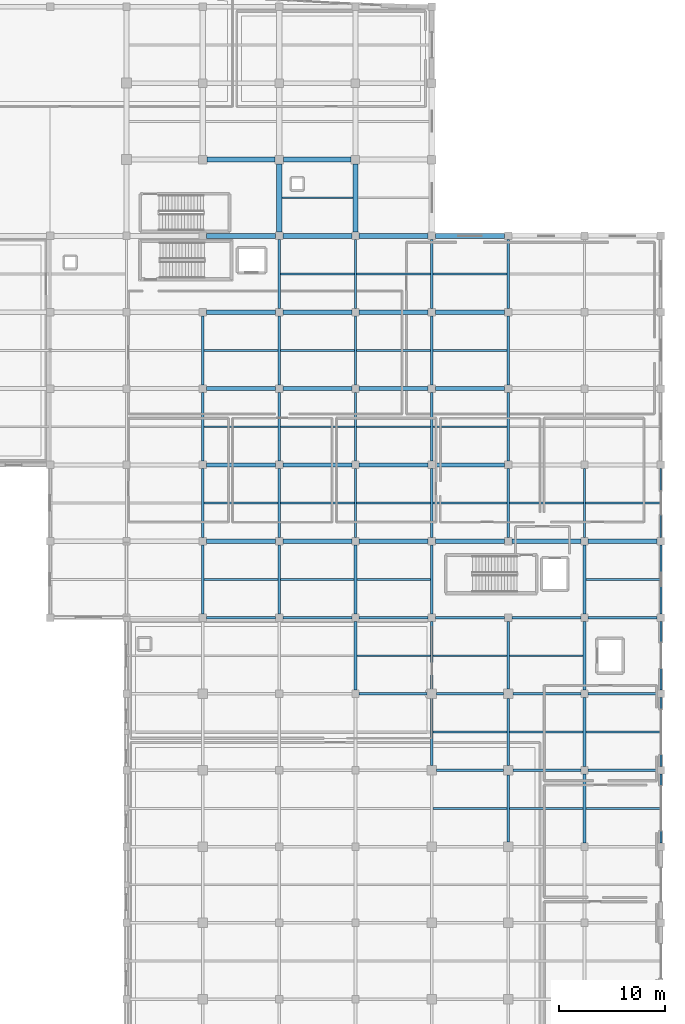
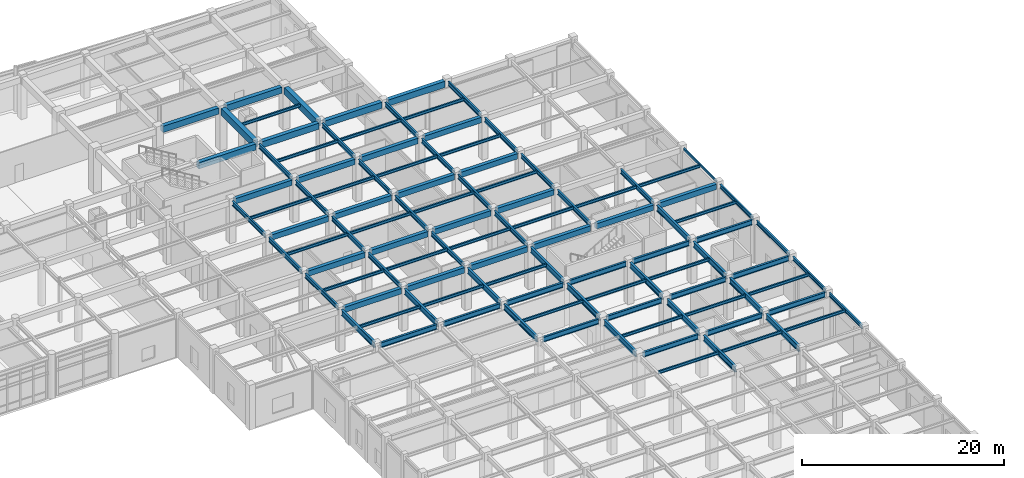
# One storey, part 54 of 102: 109 beams.
"""IFC4 building model written with IfcOpenShell, lengths in metres."""

from ifc_helpers import new_model, si_unit, direction, frame, origin, origin_2d, place, context, subcontext, project, spatial, rectangle, hollow_rectangle, i_section, extrude, material, material_profile, profile_set, type_object, element, save


model = new_model("IFC4")

# Units and contexts
model_context = context("Model", 3, precision=1e-05, world=origin(), true_north=direction((0.0, 1.0)))
body_context = subcontext(model_context, "Body", "Model", "MODEL_VIEW")
ifc_project = project(units=[si_unit("LENGTHUNIT", "METRE"), si_unit("AREAUNIT", "SQUARE_METRE"), si_unit("VOLUMEUNIT", "CUBIC_METRE"), si_unit("PLANEANGLEUNIT", "RADIAN"), si_unit("MASSUNIT", "GRAM", prefix="KILO")], contexts=[model_context])

# Site, building, storey
site_placement = place(None, origin())
site = spatial("IfcSite", under=ifc_project, at=site_placement, CompositionType="ELEMENT")
building_placement = place(site_placement, origin())
building = spatial("IfcBuilding", under=site, at=building_placement, Name="Carrowvane Square Congress Hotel", CompositionType="ELEMENT")
storey_placement = place(building_placement, origin())
storey = spatial("IfcBuildingStorey", under=building, at=storey_placement, Name="L00", CompositionType="ELEMENT", Elevation=0.0)

# Beams
ifc_material_1 = material(Name="Concrete C35/45", Category="concrete")
ifc_material_profile_1 = material_profile(ifc_material_1, rectangle(XDim=0.39990234375, YDim=0.64990234375, at=origin_2d()), Name="RC 400x650")
ifc_profile_set_1 = profile_set([ifc_material_profile_1], Name="Concrete C35/45")
beam_type_1 = type_object("IfcBeamType", Name="BM-RC-400x650", PredefinedType="BEAM", material=ifc_profile_set_1)
for number, where, z_axis, x_axis, name in (
    (1, (141.550048828125, 63.0, 4.77490234375), (1.0, 0.0, 0.0), (0.0, 1.0, 0.0), "L01 girder J/19-20"),
    (2, (148.75, 63.0, 4.77490234375), (1.0, 0.0, 0.0), (0.0, 1.0, 0.0), "L01 girder J/20-21"),
    (3, (155.949951171875, 63.0, 4.77490234375), (1.0, 0.0, 0.0), (0.0, 1.0, 0.0), "L01 girder J/21-22"),
    (4, (163.14990234375, 63.0, 4.77490234375), (1.0, 0.0, 0.0), (0.0, 1.0, 0.0), "L01 girder J/22-23"),
    (5, (170.35009765625, 63.0, 4.77490234375), (1.0, 0.0, 0.0), (0.0, 1.0, 0.0), "L01 girder J/23-24"),
    (6, (177.550048828125, 63.0, 4.77490234375), (1.0, 0.0, 0.0), (0.0, 1.0, 0.0), "L01 girder J/24-25"),
    (7, (141.550048828125, 70.199951171875, 4.77490234375), (1.0, 0.0, 0.0), (0.0, 1.0, 0.0), "L01 girder K/19-20"),
    (8, (148.75, 70.199951171875, 4.77490234375), (1.0, 0.0, 0.0), (0.0, 1.0, 0.0), "L01 girder K/20-21"),
    (9, (155.949951171875, 70.199951171875, 4.77490234375), (1.0, 0.0, 0.0), (0.0, 1.0, 0.0), "L01 girder K/21-22"),
    (10, (163.14990234375, 70.199951171875, 4.77490234375), (1.0, 0.0, 0.0), (0.0, 1.0, 0.0), "L01 girder K/22-23"),
    (11, (141.550048828125, 77.39990234375, 4.77490234375), (1.0, 0.0, 0.0), (0.0, 1.0, 0.0), "L01 girder L/19-20"),
    (12, (148.75, 77.39990234375, 4.77490234375), (1.0, 0.0, 0.0), (0.0, 1.0, 0.0), "L01 girder L/20-21"),
    (13, (155.949951171875, 77.39990234375, 4.77490234375), (1.0, 0.0, 0.0), (0.0, 1.0, 0.0), "L01 girder L/21-22"),
    (14, (163.14990234375, 77.39990234375, 4.77490234375), (1.0, 0.0, 0.0), (0.0, 1.0, 0.0), "L01 girder L/22-23"),
    (15, (141.550048828125, 84.60009765625, 4.77490234375), (1.0, 0.0, 0.0), (0.0, 1.0, 0.0), "L01 girder M/19-20"),
    (16, (148.75, 84.60009765625, 4.77490234375), (1.0, 0.0, 0.0), (0.0, 1.0, 0.0), "L01 girder M/20-21"),
    (17, (155.949951171875, 84.60009765625, 4.77490234375), (1.0, 0.0, 0.0), (0.0, 1.0, 0.0), "L01 girder M/21-22"),
    (18, (163.14990234375, 84.60009765625, 4.77490234375), (1.0, 0.0, 0.0), (0.0, 1.0, 0.0), "L01 girder M/22-23"),
):
    element("IfcBeam", number, at=place(storey_placement, frame(where, z_axis=z_axis, x_axis=x_axis)), inside=storey, type_object=beam_type_1, Name=name, PredefinedType="BEAM", context=body_context, shape_type="SweptSolid", body=[
        extrude(rectangle(XDim=0.39990234375, YDim=0.64990234375, at=origin_2d()), origin(), (0.0, 0.0, 1.0), 6.5),
    ])
ifc_material_2 = material(Name="Concrete C35/45", Category="concrete")
ifc_material_profile_2 = material_profile(ifc_material_2, rectangle(XDim=0.449951171875, YDim=0.75, at=origin_2d()), Name="RC 450x750")
ifc_profile_set_2 = profile_set([ifc_material_profile_2], Name="Concrete C35/45")
beam_type_2 = type_object("IfcBeamType", Name="BM-RC-450x750", PredefinedType="USERDEFINED", material=ifc_profile_set_2)
for number, where, z_axis, x_axis, name in (
    (19, (141.550048828125, 91.800048828125, 4.72509765625), (1.0, 0.0, 0.0), (0.0, 1.0, 0.0), "L01 girder N/19-20"),
    (20, (148.75, 91.800048828125, 4.72509765625), (1.0, 0.0, 0.0), (0.0, 1.0, 0.0), "L01 girder N/20-21"),
    (21, (155.949951171875, 91.800048828125, 4.72509765625), (1.0, 0.0, 0.0), (0.0, 1.0, 0.0), "L01 girder N/21-22"),
    (22, (163.14990234375, 91.800048828125, 4.72509765625), (1.0, 0.0, 0.0), (0.0, 1.0, 0.0), "L01 girder N/22-23"),
):
    element("IfcBeam", number, at=place(storey_placement, frame(where, z_axis=z_axis, x_axis=x_axis)), inside=storey, type_object=beam_type_2, Name=name, ObjectType="GIRDER", PredefinedType="USERDEFINED", context=body_context, shape_type="SweptSolid", body=[
        extrude(rectangle(XDim=0.449951171875, YDim=0.75, at=origin_2d()), origin(), (0.0, 0.0, 1.0), 6.5),
    ])
for number, where, z_axis, x_axis, name in (
    (23, (141.60009765625, 99.0, 4.72509765625), (1.0, 0.0, 0.0), (0.0, 1.0, 0.0), "L01 girder P/19-20"),
    (24, (148.800048828125, 99.0, 4.72509765625), (1.0, 0.0, 0.0), (0.0, 1.0, 0.0), "L01 girder P/20-21"),
):
    element("IfcBeam", number, at=place(storey_placement, frame(where, z_axis=z_axis, x_axis=x_axis)), inside=storey, type_object=beam_type_2, Name=name, ObjectType="GIRDER", PredefinedType="USERDEFINED", context=body_context, shape_type="SweptSolid", body=[
        extrude(rectangle(XDim=0.449951171875, YDim=0.75, at=origin_2d()), origin(), (0.0, 0.0, 1.0), 6.39990234375),
    ])
ifc_material_3 = material(Name="Concrete C35/45", Category="concrete")
ifc_material_profile_3 = material_profile(ifc_material_3, rectangle(XDim=0.5, YDim=0.85009765625, at=origin_2d()), Name="RC 500x850")
ifc_profile_set_3 = profile_set([ifc_material_profile_3], Name="Concrete C35/45")
beam_type_3 = type_object("IfcBeamType", Name="BM-RC-500x850", PredefinedType="USERDEFINED", material=ifc_profile_set_3)
for number, where, z_axis, x_axis, name in (
    (25, (148.39990234375, 92.14990234375, 4.675048828125), (0.0, 1.0, 0.0), (-1.0, 0.0, 0.0), "L01 girder 20/N-P"),
    (26, (155.60009765625, 92.14990234375, 4.675048828125), (0.0, 1.0, 0.0), (-1.0, 0.0, 0.0), "L01 girder 21/N-P"),
):
    element("IfcBeam", number, at=place(storey_placement, frame(where, z_axis=z_axis, x_axis=x_axis)), inside=storey, type_object=beam_type_3, Name=name, ObjectType="GIRDER", PredefinedType="USERDEFINED", context=body_context, shape_type="SweptSolid", body=[
        extrude(rectangle(XDim=0.5, YDim=0.85009765625, at=origin_2d()), origin(), (0.0, 0.0, 1.0), 6.4501953125),
    ])
ifc_material_4 = material(Name="Steel S355", Category="steel")
ifc_material_profile_4 = material_profile(ifc_material_4, hollow_rectangle(XDim=0.14990234375, YDim=0.25, WallThickness=0.012451171875, at=origin_2d()), Name="RHS 250x150x12.5")
ifc_profile_set_4 = profile_set([ifc_material_profile_4], Name="Steel S355")
beam_type_4 = type_object("IfcBeamType", Name="BM-ST-RHS250", PredefinedType="SPANDREL", material=ifc_profile_set_4)
beam_1_placement = place(storey_placement, frame((184.39990234375, 63.35009765625, 4.97509765625), z_axis=(0.0, 1.0, 0.0), x_axis=(-1.0, 0.0, 0.0)))
element("IfcBeam", 27, at=beam_1_placement, inside=storey, type_object=beam_type_4, Name="L01 girder 25/J-K", PredefinedType="SPANDREL", context=body_context, shape_type="SweptSolid", body=[
    extrude(hollow_rectangle(XDim=0.14990234375, YDim=0.25, WallThickness=0.012451171875, at=origin_2d()), origin(), (0.0, 0.0, 1.0), 6.5),
])
ifc_material_5 = material(Name="Steel S355", Category="steel")
ifc_material_profile_5 = material_profile(ifc_material_5, i_section(OverallWidth=0.172119140625, OverallDepth=0.35791015625, WebThickness=0.008056640625, FlangeThickness=0.012939453125, FilletRadius=0.01025390625, at=origin_2d()), Name="UKB 356x171x57")
ifc_profile_set_5 = profile_set([ifc_material_profile_5], Name="Steel S355")
beam_type_5 = type_object("IfcBeamType", Name="BM-ST-UKB356", PredefinedType="JOIST", material=ifc_profile_set_5)
beam_2_placement = place(storey_placement, frame((141.3271484375, 59.39990234375, 4.9208984375), z_axis=(1.0, 0.0, 0.0), x_axis=(0.0, 1.0, 0.0)))
element("IfcBeam", 28, at=beam_2_placement, inside=storey, type_object=beam_type_5, Name="L01 secondary joist 19-20", PredefinedType="JOIST", context=body_context, shape_type="SweptSolid", body=[
    extrude(i_section(OverallWidth=0.172119140625, OverallDepth=0.35791015625, WebThickness=0.008056640625, FlangeThickness=0.012939453125, FilletRadius=0.01025390625, at=origin_2d()), origin(), (0.0, 0.0, 1.0), 6.945556640625),
])
for number, where, z_axis, x_axis, name in (
    (29, (141.304931640625, 66.60009765625, 4.9208984375), (1.0, 0.0, 0.0), (0.0, 1.0, 0.0), "L01 secondary joist 19-20"),
    (30, (141.304931640625, 73.800048828125, 4.9208984375), (1.0, 0.0, 0.0), (0.0, 1.0, 0.0), "L01 secondary joist 19-20"),
    (31, (141.304931640625, 81.0, 4.9208984375), (1.0, 0.0, 0.0), (0.0, 1.0, 0.0), "L01 secondary joist 19-20"),
):
    element("IfcBeam", number, at=place(storey_placement, frame(where, z_axis=z_axis, x_axis=x_axis)), inside=storey, type_object=beam_type_5, Name=name, PredefinedType="JOIST", context=body_context, shape_type="SweptSolid", body=[
        extrude(i_section(OverallWidth=0.172119140625, OverallDepth=0.35791015625, WebThickness=0.008056640625, FlangeThickness=0.012939453125, FilletRadius=0.01025390625, at=origin_2d()), origin(), (0.0, 0.0, 1.0), 6.989990234375),
    ])
beam_3_placement = place(storey_placement, frame((148.52734375, 59.39990234375, 4.9208984375), z_axis=(1.0, 0.0, 0.0), x_axis=(0.0, 1.0, 0.0)))
element("IfcBeam", 32, at=beam_3_placement, inside=storey, type_object=beam_type_5, Name="L01 secondary joist 20-21", PredefinedType="JOIST", context=body_context, shape_type="SweptSolid", body=[
    extrude(i_section(OverallWidth=0.172119140625, OverallDepth=0.35791015625, WebThickness=0.008056640625, FlangeThickness=0.012939453125, FilletRadius=0.01025390625, at=origin_2d()), origin(), (0.0, 0.0, 1.0), 6.9453125),
])
for number, where, z_axis, x_axis, name in (
    (33, (148.5048828125, 66.60009765625, 4.9208984375), (1.0, 0.0, 0.0), (0.0, 1.0, 0.0), "L01 secondary joist 20-21"),
    (34, (148.5048828125, 73.800048828125, 4.9208984375), (1.0, 0.0, 0.0), (0.0, 1.0, 0.0), "L01 secondary joist 20-21"),
    (35, (148.5048828125, 81.0, 4.9208984375), (1.0, 0.0, 0.0), (0.0, 1.0, 0.0), "L01 secondary joist 20-21"),
    (36, (148.5048828125, 88.199951171875, 4.9208984375), (1.0, 0.0, 0.0), (0.0, 1.0, 0.0), "L01 secondary joist 20-21"),
):
    element("IfcBeam", number, at=place(storey_placement, frame(where, z_axis=z_axis, x_axis=x_axis)), inside=storey, type_object=beam_type_5, Name=name, PredefinedType="JOIST", context=body_context, shape_type="SweptSolid", body=[
        extrude(i_section(OverallWidth=0.172119140625, OverallDepth=0.35791015625, WebThickness=0.008056640625, FlangeThickness=0.012939453125, FilletRadius=0.01025390625, at=origin_2d()), origin(), (0.0, 0.0, 1.0), 6.990234375),
    ])
beam_4_placement = place(storey_placement, frame((148.64990234375, 95.39990234375, 4.9208984375), z_axis=(1.0, 0.0, 0.0), x_axis=(0.0, 1.0, 0.0)))
element("IfcBeam", 37, at=beam_4_placement, inside=storey, type_object=beam_type_5, Name="L01 secondary joist 20-21", PredefinedType="JOIST", context=body_context, shape_type="SweptSolid", body=[
    extrude(i_section(OverallWidth=0.172119140625, OverallDepth=0.35791015625, WebThickness=0.008056640625, FlangeThickness=0.012939453125, FilletRadius=0.01025390625, at=origin_2d()), origin(), (0.0, 0.0, 1.0), 6.7001953125),
])
for number, where, z_axis, x_axis, name in (
    (38, (155.727294921875, 52.199951171875, 4.9208984375), (1.0, 0.0, 0.0), (0.0, 1.0, 0.0), "L01 secondary joist 21-22"),
    (39, (155.727294921875, 59.39990234375, 4.9208984375), (1.0, 0.0, 0.0), (0.0, 1.0, 0.0), "L01 secondary joist 21-22"),
):
    element("IfcBeam", number, at=place(storey_placement, frame(where, z_axis=z_axis, x_axis=x_axis)), inside=storey, type_object=beam_type_5, Name=name, PredefinedType="JOIST", context=body_context, shape_type="SweptSolid", body=[
        extrude(i_section(OverallWidth=0.172119140625, OverallDepth=0.35791015625, WebThickness=0.008056640625, FlangeThickness=0.012939453125, FilletRadius=0.01025390625, at=origin_2d()), origin(), (0.0, 0.0, 1.0), 6.945556640625),
    ])
for number, where, z_axis, x_axis, name in (
    (40, (155.705078125, 66.60009765625, 4.9208984375), (1.0, 0.0, 0.0), (0.0, 1.0, 0.0), "L01 secondary joist 21-22"),
    (41, (155.705078125, 73.800048828125, 4.9208984375), (1.0, 0.0, 0.0), (0.0, 1.0, 0.0), "L01 secondary joist 21-22"),
    (42, (155.705078125, 81.0, 4.9208984375), (1.0, 0.0, 0.0), (0.0, 1.0, 0.0), "L01 secondary joist 21-22"),
    (43, (155.705078125, 88.199951171875, 4.9208984375), (1.0, 0.0, 0.0), (0.0, 1.0, 0.0), "L01 secondary joist 21-22"),
):
    element("IfcBeam", number, at=place(storey_placement, frame(where, z_axis=z_axis, x_axis=x_axis)), inside=storey, type_object=beam_type_5, Name=name, PredefinedType="JOIST", context=body_context, shape_type="SweptSolid", body=[
        extrude(i_section(OverallWidth=0.172119140625, OverallDepth=0.35791015625, WebThickness=0.008056640625, FlangeThickness=0.012939453125, FilletRadius=0.01025390625, at=origin_2d()), origin(), (0.0, 0.0, 1.0), 6.989990234375),
    ])
for number, where, z_axis, x_axis, name in (
    (44, (162.92724609375, 37.800048828125, 4.9208984375), (1.0, 0.0, 0.0), (0.0, 1.0, 0.0), "L01 secondary joist 22-23"),
    (45, (162.92724609375, 45.0, 4.9208984375), (1.0, 0.0, 0.0), (0.0, 1.0, 0.0), "L01 secondary joist 22-23"),
    (46, (162.92724609375, 52.199951171875, 4.9208984375), (1.0, 0.0, 0.0), (0.0, 1.0, 0.0), "L01 secondary joist 22-23"),
):
    element("IfcBeam", number, at=place(storey_placement, frame(where, z_axis=z_axis, x_axis=x_axis)), inside=storey, type_object=beam_type_5, Name=name, PredefinedType="JOIST", context=body_context, shape_type="SweptSolid", body=[
        extrude(i_section(OverallWidth=0.172119140625, OverallDepth=0.35791015625, WebThickness=0.008056640625, FlangeThickness=0.012939453125, FilletRadius=0.01025390625, at=origin_2d()), origin(), (0.0, 0.0, 1.0), 6.945556640625),
    ])
for number, where, z_axis, x_axis, name in (
    (47, (162.905029296875, 66.60009765625, 4.9208984375), (1.0, 0.0, 0.0), (0.0, 1.0, 0.0), "L01 secondary joist 22-23"),
    (48, (162.905029296875, 73.800048828125, 4.9208984375), (1.0, 0.0, 0.0), (0.0, 1.0, 0.0), "L01 secondary joist 22-23"),
    (49, (162.905029296875, 81.0, 4.9208984375), (1.0, 0.0, 0.0), (0.0, 1.0, 0.0), "L01 secondary joist 22-23"),
    (50, (162.905029296875, 88.199951171875, 4.9208984375), (1.0, 0.0, 0.0), (0.0, 1.0, 0.0), "L01 secondary joist 22-23"),
):
    element("IfcBeam", number, at=place(storey_placement, frame(where, z_axis=z_axis, x_axis=x_axis)), inside=storey, type_object=beam_type_5, Name=name, PredefinedType="JOIST", context=body_context, shape_type="SweptSolid", body=[
        extrude(i_section(OverallWidth=0.172119140625, OverallDepth=0.35791015625, WebThickness=0.008056640625, FlangeThickness=0.012939453125, FilletRadius=0.01025390625, at=origin_2d()), origin(), (0.0, 0.0, 1.0), 6.989990234375),
    ])
for number, where, z_axis, x_axis, name in (
    (51, (170.127197265625, 37.800048828125, 4.9208984375), (1.0, 0.0, 0.0), (0.0, 1.0, 0.0), "L01 secondary joist 23-24"),
    (52, (170.127197265625, 45.0, 4.9208984375), (1.0, 0.0, 0.0), (0.0, 1.0, 0.0), "L01 secondary joist 23-24"),
    (53, (170.127197265625, 52.199951171875, 4.9208984375), (1.0, 0.0, 0.0), (0.0, 1.0, 0.0), "L01 secondary joist 23-24"),
):
    element("IfcBeam", number, at=place(storey_placement, frame(where, z_axis=z_axis, x_axis=x_axis)), inside=storey, type_object=beam_type_5, Name=name, PredefinedType="JOIST", context=body_context, shape_type="SweptSolid", body=[
        extrude(i_section(OverallWidth=0.172119140625, OverallDepth=0.35791015625, WebThickness=0.008056640625, FlangeThickness=0.012939453125, FilletRadius=0.01025390625, at=origin_2d()), origin(), (0.0, 0.0, 1.0), 6.945556640625),
    ])
beam_5_placement = place(storey_placement, frame((170.10498046875, 66.60009765625, 4.9208984375), z_axis=(1.0, 0.0, 0.0), x_axis=(0.0, 1.0, 0.0)))
element("IfcBeam", 54, at=beam_5_placement, inside=storey, type_object=beam_type_5, Name="L01 secondary joist 23-24", PredefinedType="JOIST", context=body_context, shape_type="SweptSolid", body=[
    extrude(i_section(OverallWidth=0.172119140625, OverallDepth=0.35791015625, WebThickness=0.008056640625, FlangeThickness=0.012939453125, FilletRadius=0.01025390625, at=origin_2d()), origin(), (0.0, 0.0, 1.0), 6.989990234375),
])
for number, where, z_axis, x_axis, name in (
    (55, (177.3271484375, 37.800048828125, 4.9208984375), (1.0, 0.0, 0.0), (0.0, 1.0, 0.0), "L01 secondary joist 24-25"),
    (56, (177.3271484375, 45.0, 4.9208984375), (1.0, 0.0, 0.0), (0.0, 1.0, 0.0), "L01 secondary joist 24-25"),
    (57, (177.3271484375, 59.39990234375, 4.9208984375), (1.0, 0.0, 0.0), (0.0, 1.0, 0.0), "L01 secondary joist 24-25"),
):
    element("IfcBeam", number, at=place(storey_placement, frame(where, z_axis=z_axis, x_axis=x_axis)), inside=storey, type_object=beam_type_5, Name=name, PredefinedType="JOIST", context=body_context, shape_type="SweptSolid", body=[
        extrude(i_section(OverallWidth=0.172119140625, OverallDepth=0.35791015625, WebThickness=0.008056640625, FlangeThickness=0.012939453125, FilletRadius=0.01025390625, at=origin_2d()), origin(), (0.0, 0.0, 1.0), 6.977294921875),
    ])
beam_6_placement = place(storey_placement, frame((177.304931640625, 66.60009765625, 4.9208984375), z_axis=(1.0, 0.0, 0.0), x_axis=(0.0, 1.0, 0.0)))
element("IfcBeam", 58, at=beam_6_placement, inside=storey, type_object=beam_type_5, Name="L01 secondary joist 24-25", PredefinedType="JOIST", context=body_context, shape_type="SweptSolid", body=[
    extrude(i_section(OverallWidth=0.172119140625, OverallDepth=0.35791015625, WebThickness=0.008056640625, FlangeThickness=0.012939453125, FilletRadius=0.01025390625, at=origin_2d()), origin(), (0.0, 0.0, 1.0), 7.02001953125),
])
ifc_material_6 = material(Name="Steel S355", Category="steel")
ifc_material_profile_6 = material_profile(ifc_material_6, i_section(OverallWidth=0.19140625, OverallDepth=0.4599609375, WebThickness=0.010009765625, FlangeThickness=0.01611328125, FilletRadius=0.01025390625, at=origin_2d()), Name="UKB 457x191x82")
ifc_profile_set_6 = profile_set([ifc_material_profile_6], Name="Steel S355")
beam_type_6 = type_object("IfcBeamType", Name="BM-ST-UKB457", PredefinedType="SPANDREL", material=ifc_profile_set_6)
for number, where, z_axis, x_axis, name in (
    (59, (184.39990234375, 34.550048828125, 4.8701171875), (0.0, 1.0, 0.0), (-1.0, 0.0, 0.0), "L01 girder 25/E-F"),
    (60, (184.39990234375, 41.75, 4.8701171875), (0.0, 1.0, 0.0), (-1.0, 0.0, 0.0), "L01 girder 25/F-G"),
    (61, (184.39990234375, 48.949951171875, 4.8701171875), (0.0, 1.0, 0.0), (-1.0, 0.0, 0.0), "L01 girder 25/G-H"),
    (62, (184.39990234375, 56.14990234375, 4.8701171875), (0.0, 1.0, 0.0), (-1.0, 0.0, 0.0), "L01 girder 25/H-J"),
):
    element("IfcBeam", number, at=place(storey_placement, frame(where, z_axis=z_axis, x_axis=x_axis)), inside=storey, type_object=beam_type_6, Name=name, PredefinedType="SPANDREL", context=body_context, shape_type="SweptSolid", body=[
        extrude(i_section(OverallWidth=0.19140625, OverallDepth=0.4599609375, WebThickness=0.010009765625, FlangeThickness=0.01611328125, FilletRadius=0.01025390625, at=origin_2d()), origin(), (0.0, 0.0, 1.0), 6.5),
    ])
ifc_material_7 = material(Name="Steel S355", Category="steel")
ifc_material_profile_7 = material_profile(ifc_material_7, i_section(OverallWidth=0.2099609375, OverallDepth=0.53662109375, WebThickness=0.0107421875, FlangeThickness=0.017333984375, FilletRadius=0.0126953125, at=origin_2d()), Name="UKB 533x210x101")
ifc_profile_set_7 = profile_set([ifc_material_profile_7], Name="Steel S355")
beam_type_7 = type_object("IfcBeamType", Name="BM-ST-UKB533", PredefinedType="USERDEFINED", material=ifc_profile_set_7)
for number, where, z_axis, x_axis, name in (
    (63, (141.199951171875, 63.35009765625, 4.83154296875), (0.0, 1.0, 0.0), (-1.0, 0.0, 0.0), "L01 girder 19/J-K"),
    (64, (141.199951171875, 70.550048828125, 4.83154296875), (0.0, 1.0, 0.0), (-1.0, 0.0, 0.0), "L01 girder 19/K-L"),
    (65, (141.199951171875, 77.75, 4.83154296875), (0.0, 1.0, 0.0), (-1.0, 0.0, 0.0), "L01 girder 19/L-M"),
    (66, (148.39990234375, 63.35009765625, 4.83154296875), (0.0, 1.0, 0.0), (-1.0, 0.0, 0.0), "L01 girder 20/J-K"),
    (67, (148.39990234375, 70.550048828125, 4.83154296875), (0.0, 1.0, 0.0), (-1.0, 0.0, 0.0), "L01 girder 20/K-L"),
    (68, (148.39990234375, 77.75, 4.83154296875), (0.0, 1.0, 0.0), (-1.0, 0.0, 0.0), "L01 girder 20/L-M"),
    (69, (148.39990234375, 84.949951171875, 4.83154296875), (0.0, 1.0, 0.0), (-1.0, 0.0, 0.0), "L01 girder 20/M-N"),
    (70, (155.60009765625, 63.35009765625, 4.83154296875), (0.0, 1.0, 0.0), (-1.0, 0.0, 0.0), "L01 girder 21/J-K"),
    (71, (155.60009765625, 70.550048828125, 4.83154296875), (0.0, 1.0, 0.0), (-1.0, 0.0, 0.0), "L01 girder 21/K-L"),
    (72, (155.60009765625, 77.75, 4.83154296875), (0.0, 1.0, 0.0), (-1.0, 0.0, 0.0), "L01 girder 21/L-M"),
    (73, (155.60009765625, 84.949951171875, 4.83154296875), (0.0, 1.0, 0.0), (-1.0, 0.0, 0.0), "L01 girder 21/M-N"),
    (74, (162.800048828125, 63.35009765625, 4.83154296875), (0.0, 1.0, 0.0), (-1.0, 0.0, 0.0), "L01 girder 22/J-K"),
    (75, (162.800048828125, 70.550048828125, 4.83154296875), (0.0, 1.0, 0.0), (-1.0, 0.0, 0.0), "L01 girder 22/K-L"),
    (76, (162.800048828125, 77.75, 4.83154296875), (0.0, 1.0, 0.0), (-1.0, 0.0, 0.0), "L01 girder 22/L-M"),
    (77, (162.800048828125, 84.949951171875, 4.83154296875), (0.0, 1.0, 0.0), (-1.0, 0.0, 0.0), "L01 girder 22/M-N"),
    (78, (170.0, 63.35009765625, 4.83154296875), (0.0, 1.0, 0.0), (-1.0, 0.0, 0.0), "L01 girder 23/J-K"),
    (79, (170.0, 70.550048828125, 4.83154296875), (0.0, 1.0, 0.0), (-1.0, 0.0, 0.0), "L01 girder 23/K-L"),
    (80, (170.0, 77.75, 4.83154296875), (0.0, 1.0, 0.0), (-1.0, 0.0, 0.0), "L01 girder 23/L-M"),
    (81, (170.0, 84.949951171875, 4.83154296875), (0.0, 1.0, 0.0), (-1.0, 0.0, 0.0), "L01 girder 23/M-N"),
    (82, (177.199951171875, 63.35009765625, 4.83154296875), (0.0, 1.0, 0.0), (-1.0, 0.0, 0.0), "L01 girder 24/J-K"),
):
    element("IfcBeam", number, at=place(storey_placement, frame(where, z_axis=z_axis, x_axis=x_axis)), inside=storey, type_object=beam_type_7, Name=name, ObjectType="GIRDER", PredefinedType="USERDEFINED", context=body_context, shape_type="SweptSolid", body=[
        extrude(i_section(OverallWidth=0.2099609375, OverallDepth=0.53662109375, WebThickness=0.0107421875, FlangeThickness=0.017333984375, FilletRadius=0.0126953125, at=origin_2d()), origin(), (0.0, 0.0, 1.0), 6.5),
    ])
ifc_material_8 = material(Name="Steel S355", Category="steel")
ifc_material_profile_8 = material_profile(ifc_material_8, i_section(OverallWidth=0.22900390625, OverallDepth=0.6123046875, WebThickness=0.011962890625, FlangeThickness=0.01953125, FilletRadius=0.0126953125, at=origin_2d()), Name="UKB 610x229x125")
ifc_profile_set_8 = profile_set([ifc_material_profile_8], Name="Steel S355")
beam_type_8 = type_object("IfcBeamType", Name="BM-ST-UKB610A", PredefinedType="USERDEFINED", material=ifc_profile_set_8)
beam_7_placement = place(storey_placement, frame((163.25, 41.39990234375, 4.7939453125), z_axis=(1.0, 0.0, 0.0), x_axis=(0.0, 1.0, 0.0)))
element("IfcBeam", 83, at=beam_7_placement, inside=storey, type_object=beam_type_8, Name="L01 girder F/22-23", ObjectType="GIRDER", PredefinedType="USERDEFINED", context=body_context, shape_type="SweptSolid", body=[
    extrude(i_section(OverallWidth=0.22900390625, OverallDepth=0.6123046875, WebThickness=0.011962890625, FlangeThickness=0.01953125, FilletRadius=0.0126953125, at=origin_2d()), origin(), (0.0, 0.0, 1.0), 6.300048828125),
])
beam_8_placement = place(storey_placement, frame((170.449951171875, 41.39990234375, 4.7939453125), z_axis=(1.0, 0.0, 0.0), x_axis=(0.0, 1.0, 0.0)))
element("IfcBeam", 84, at=beam_8_placement, inside=storey, type_object=beam_type_8, Name="L01 girder F/23-24", ObjectType="GIRDER", PredefinedType="USERDEFINED", context=body_context, shape_type="SweptSolid", body=[
    extrude(i_section(OverallWidth=0.22900390625, OverallDepth=0.6123046875, WebThickness=0.011962890625, FlangeThickness=0.01953125, FilletRadius=0.0126953125, at=origin_2d()), origin(), (0.0, 0.0, 1.0), 6.400146484375),
])
beam_9_placement = place(storey_placement, frame((177.550048828125, 41.39990234375, 4.7939453125), z_axis=(1.0, 0.0, 0.0), x_axis=(0.0, 1.0, 0.0)))
element("IfcBeam", 85, at=beam_9_placement, inside=storey, type_object=beam_type_8, Name="L01 girder F/24-25", ObjectType="GIRDER", PredefinedType="USERDEFINED", context=body_context, shape_type="SweptSolid", body=[
    extrude(i_section(OverallWidth=0.22900390625, OverallDepth=0.6123046875, WebThickness=0.011962890625, FlangeThickness=0.01953125, FilletRadius=0.0126953125, at=origin_2d()), origin(), (0.0, 0.0, 1.0), 6.5),
])
beam_10_placement = place(storey_placement, frame((155.949951171875, 48.60009765625, 4.7939453125), z_axis=(1.0, 0.0, 0.0), x_axis=(0.0, 1.0, 0.0)))
element("IfcBeam", 86, at=beam_10_placement, inside=storey, type_object=beam_type_8, Name="L01 girder G/21-22", ObjectType="GIRDER", PredefinedType="USERDEFINED", context=body_context, shape_type="SweptSolid", body=[
    extrude(i_section(OverallWidth=0.22900390625, OverallDepth=0.6123046875, WebThickness=0.011962890625, FlangeThickness=0.01953125, FilletRadius=0.0126953125, at=origin_2d()), origin(), (0.0, 0.0, 1.0), 6.400146484375),
])
beam_11_placement = place(storey_placement, frame((163.25, 48.60009765625, 4.7939453125), z_axis=(1.0, 0.0, 0.0), x_axis=(0.0, 1.0, 0.0)))
element("IfcBeam", 87, at=beam_11_placement, inside=storey, type_object=beam_type_8, Name="L01 girder G/22-23", ObjectType="GIRDER", PredefinedType="USERDEFINED", context=body_context, shape_type="SweptSolid", body=[
    extrude(i_section(OverallWidth=0.22900390625, OverallDepth=0.6123046875, WebThickness=0.011962890625, FlangeThickness=0.01953125, FilletRadius=0.0126953125, at=origin_2d()), origin(), (0.0, 0.0, 1.0), 6.300048828125),
])
beam_12_placement = place(storey_placement, frame((170.449951171875, 48.60009765625, 4.7939453125), z_axis=(1.0, 0.0, 0.0), x_axis=(0.0, 1.0, 0.0)))
element("IfcBeam", 88, at=beam_12_placement, inside=storey, type_object=beam_type_8, Name="L01 girder G/23-24", ObjectType="GIRDER", PredefinedType="USERDEFINED", context=body_context, shape_type="SweptSolid", body=[
    extrude(i_section(OverallWidth=0.22900390625, OverallDepth=0.6123046875, WebThickness=0.011962890625, FlangeThickness=0.01953125, FilletRadius=0.0126953125, at=origin_2d()), origin(), (0.0, 0.0, 1.0), 6.400146484375),
])
for number, where, z_axis, x_axis, name in (
    (89, (177.550048828125, 48.60009765625, 4.7939453125), (1.0, 0.0, 0.0), (0.0, 1.0, 0.0), "L01 girder G/24-25"),
    (90, (141.550048828125, 55.800048828125, 4.7939453125), (1.0, 0.0, 0.0), (0.0, 1.0, 0.0), "L01 girder H/19-20"),
    (91, (148.75, 55.800048828125, 4.7939453125), (1.0, 0.0, 0.0), (0.0, 1.0, 0.0), "L01 girder H/20-21"),
    (92, (155.949951171875, 55.800048828125, 4.7939453125), (1.0, 0.0, 0.0), (0.0, 1.0, 0.0), "L01 girder H/21-22"),
    (93, (163.14990234375, 55.800048828125, 4.7939453125), (1.0, 0.0, 0.0), (0.0, 1.0, 0.0), "L01 girder H/22-23"),
    (94, (170.35009765625, 55.800048828125, 4.7939453125), (1.0, 0.0, 0.0), (0.0, 1.0, 0.0), "L01 girder H/23-24"),
    (95, (177.550048828125, 55.800048828125, 4.7939453125), (1.0, 0.0, 0.0), (0.0, 1.0, 0.0), "L01 girder H/24-25"),
):
    element("IfcBeam", number, at=place(storey_placement, frame(where, z_axis=z_axis, x_axis=x_axis)), inside=storey, type_object=beam_type_8, Name=name, ObjectType="GIRDER", PredefinedType="USERDEFINED", context=body_context, shape_type="SweptSolid", body=[
        extrude(i_section(OverallWidth=0.22900390625, OverallDepth=0.6123046875, WebThickness=0.011962890625, FlangeThickness=0.01953125, FilletRadius=0.0126953125, at=origin_2d()), origin(), (0.0, 0.0, 1.0), 6.5),
    ])
ifc_material_9 = material(Name="Steel S355", Category="steel")
ifc_material_profile_9 = material_profile(ifc_material_9, i_section(OverallWidth=0.25439453125, OverallDepth=0.6875, WebThickness=0.01318359375, FlangeThickness=0.02099609375, FilletRadius=0.01513671875, at=origin_2d()), Name="UKB 686x254x152")
ifc_profile_set_9 = profile_set([ifc_material_profile_9], Name="Steel S355")
beam_type_9 = type_object("IfcBeamType", Name="BM-ST-UKB686", PredefinedType="USERDEFINED", material=ifc_profile_set_9)
for number, where, z_axis, x_axis, name in (
    (96, (141.199951171875, 56.14990234375, 4.75634765625), (0.0, 1.0, 0.0), (-1.0, 0.0, 0.0), "L01 girder 19/H-J"),
    (97, (148.39990234375, 56.14990234375, 4.75634765625), (0.0, 1.0, 0.0), (-1.0, 0.0, 0.0), "L01 girder 20/H-J"),
    (98, (155.60009765625, 48.949951171875, 4.75634765625), (0.0, 1.0, 0.0), (-1.0, 0.0, 0.0), "L01 girder 21/G-H"),
    (99, (155.60009765625, 56.14990234375, 4.75634765625), (0.0, 1.0, 0.0), (-1.0, 0.0, 0.0), "L01 girder 21/H-J"),
):
    element("IfcBeam", number, at=place(storey_placement, frame(where, z_axis=z_axis, x_axis=x_axis)), inside=storey, type_object=beam_type_9, Name=name, ObjectType="GIRDER", PredefinedType="USERDEFINED", context=body_context, shape_type="SweptSolid", body=[
        extrude(i_section(OverallWidth=0.25439453125, OverallDepth=0.6875, WebThickness=0.01318359375, FlangeThickness=0.02099609375, FilletRadius=0.01513671875, at=origin_2d()), origin(), (0.0, 0.0, 1.0), 6.5),
    ])
beam_13_placement = place(storey_placement, frame((162.800048828125, 41.85009765625, 4.75634765625), z_axis=(0.0, 1.0, 0.0), x_axis=(-1.0, 0.0, 0.0)))
element("IfcBeam", 100, at=beam_13_placement, inside=storey, type_object=beam_type_9, Name="L01 girder 22/F-G", ObjectType="GIRDER", PredefinedType="USERDEFINED", context=body_context, shape_type="SweptSolid", body=[
    extrude(i_section(OverallWidth=0.25439453125, OverallDepth=0.6875, WebThickness=0.01318359375, FlangeThickness=0.02099609375, FilletRadius=0.01513671875, at=origin_2d()), origin(), (0.0, 0.0, 1.0), 6.2998046875),
])
beam_14_placement = place(storey_placement, frame((162.800048828125, 49.050048828125, 4.75634765625), z_axis=(0.0, 1.0, 0.0), x_axis=(-1.0, 0.0, 0.0)))
element("IfcBeam", 101, at=beam_14_placement, inside=storey, type_object=beam_type_9, Name="L01 girder 22/G-H", ObjectType="GIRDER", PredefinedType="USERDEFINED", context=body_context, shape_type="SweptSolid", body=[
    extrude(i_section(OverallWidth=0.25439453125, OverallDepth=0.6875, WebThickness=0.01318359375, FlangeThickness=0.02099609375, FilletRadius=0.01513671875, at=origin_2d()), origin(), (0.0, 0.0, 1.0), 6.39990234375),
])
beam_15_placement = place(storey_placement, frame((162.800048828125, 56.14990234375, 4.75634765625), z_axis=(0.0, 1.0, 0.0), x_axis=(-1.0, 0.0, 0.0)))
element("IfcBeam", 102, at=beam_15_placement, inside=storey, type_object=beam_type_9, Name="L01 girder 22/H-J", ObjectType="GIRDER", PredefinedType="USERDEFINED", context=body_context, shape_type="SweptSolid", body=[
    extrude(i_section(OverallWidth=0.25439453125, OverallDepth=0.6875, WebThickness=0.01318359375, FlangeThickness=0.02099609375, FilletRadius=0.01513671875, at=origin_2d()), origin(), (0.0, 0.0, 1.0), 6.5),
])
beam_16_placement = place(storey_placement, frame((170.0, 34.64990234375, 4.75634765625), z_axis=(0.0, 1.0, 0.0), x_axis=(-1.0, 0.0, 0.0)))
element("IfcBeam", 103, at=beam_16_placement, inside=storey, type_object=beam_type_9, Name="L01 girder 23/E-F", ObjectType="GIRDER", PredefinedType="USERDEFINED", context=body_context, shape_type="SweptSolid", body=[
    extrude(i_section(OverallWidth=0.25439453125, OverallDepth=0.6875, WebThickness=0.01318359375, FlangeThickness=0.02099609375, FilletRadius=0.01513671875, at=origin_2d()), origin(), (0.0, 0.0, 1.0), 6.300048828125),
])
beam_17_placement = place(storey_placement, frame((170.0, 41.85009765625, 4.75634765625), z_axis=(0.0, 1.0, 0.0), x_axis=(-1.0, 0.0, 0.0)))
element("IfcBeam", 104, at=beam_17_placement, inside=storey, type_object=beam_type_9, Name="L01 girder 23/F-G", ObjectType="GIRDER", PredefinedType="USERDEFINED", context=body_context, shape_type="SweptSolid", body=[
    extrude(i_section(OverallWidth=0.25439453125, OverallDepth=0.6875, WebThickness=0.01318359375, FlangeThickness=0.02099609375, FilletRadius=0.01513671875, at=origin_2d()), origin(), (0.0, 0.0, 1.0), 6.2998046875),
])
beam_18_placement = place(storey_placement, frame((170.0, 49.050048828125, 4.75634765625), z_axis=(0.0, 1.0, 0.0), x_axis=(-1.0, 0.0, 0.0)))
element("IfcBeam", 105, at=beam_18_placement, inside=storey, type_object=beam_type_9, Name="L01 girder 23/G-H", ObjectType="GIRDER", PredefinedType="USERDEFINED", context=body_context, shape_type="SweptSolid", body=[
    extrude(i_section(OverallWidth=0.25439453125, OverallDepth=0.6875, WebThickness=0.01318359375, FlangeThickness=0.02099609375, FilletRadius=0.01513671875, at=origin_2d()), origin(), (0.0, 0.0, 1.0), 6.39990234375),
])
for number, where, z_axis, x_axis, name in (
    (106, (177.199951171875, 34.550048828125, 4.75634765625), (0.0, 1.0, 0.0), (-1.0, 0.0, 0.0), "L01 girder 24/E-F"),
    (107, (177.199951171875, 41.75, 4.75634765625), (0.0, 1.0, 0.0), (-1.0, 0.0, 0.0), "L01 girder 24/F-G"),
    (108, (177.199951171875, 48.949951171875, 4.75634765625), (0.0, 1.0, 0.0), (-1.0, 0.0, 0.0), "L01 girder 24/G-H"),
    (109, (177.199951171875, 56.14990234375, 4.75634765625), (0.0, 1.0, 0.0), (-1.0, 0.0, 0.0), "L01 girder 24/H-J"),
):
    element("IfcBeam", number, at=place(storey_placement, frame(where, z_axis=z_axis, x_axis=x_axis)), inside=storey, type_object=beam_type_9, Name=name, ObjectType="GIRDER", PredefinedType="USERDEFINED", context=body_context, shape_type="SweptSolid", body=[
        extrude(i_section(OverallWidth=0.25439453125, OverallDepth=0.6875, WebThickness=0.01318359375, FlangeThickness=0.02099609375, FilletRadius=0.01513671875, at=origin_2d()), origin(), (0.0, 0.0, 1.0), 6.5),
    ])

save(model, "model.ifc")
